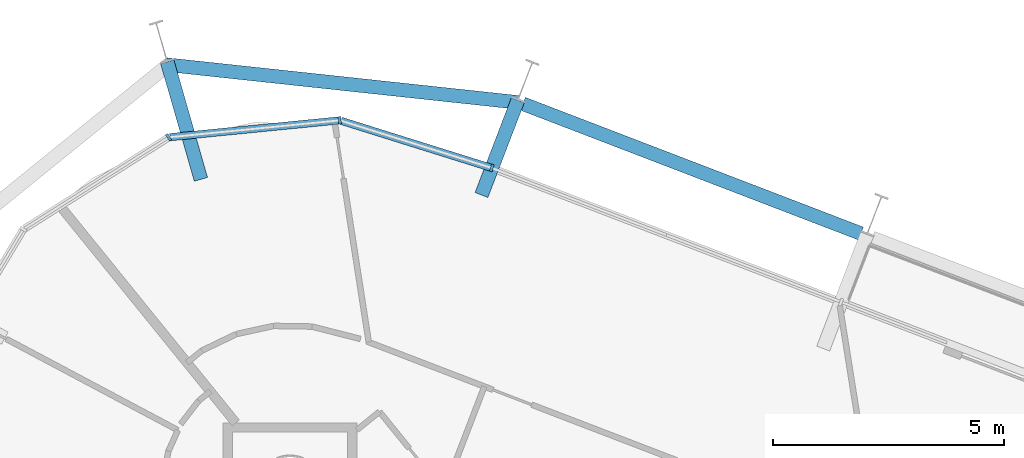
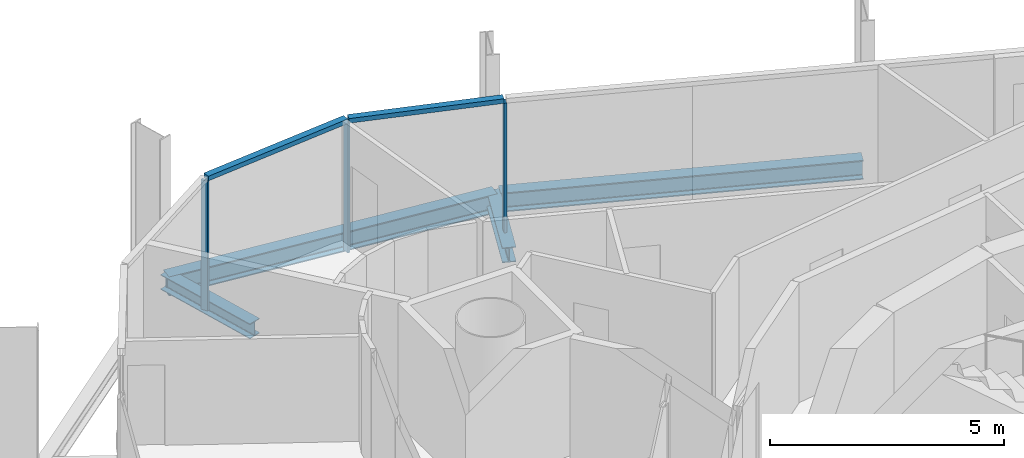
# One storey, part 8 of 17: 5 members, 4 beams, 1 element without a shape of its own.
"""IFC4 building model written with IfcOpenShell, lengths in metres."""

from ifc_helpers import new_model, si_unit, direction, frame, origin, origin_2d, place, context, subcontext, project, spatial, rectangle, i_section, extrude, material, layer, layer_set, material_profile, profile_set, type_object, element, aggregate, save


model = new_model("IFC4")

# Units and contexts
model_context = context("Model", 3, precision=1e-05, world=origin(), true_north=direction((0.0, 1.0)))
body_context = subcontext(model_context, "Body", "Model", "MODEL_VIEW")
ifc_project = project(units=[si_unit("LENGTHUNIT", "METRE"), si_unit("AREAUNIT", "SQUARE_METRE"), si_unit("VOLUMEUNIT", "CUBIC_METRE"), si_unit("PLANEANGLEUNIT", "RADIAN"), si_unit("MASSUNIT", "GRAM", prefix="KILO")], contexts=[model_context])

# Site, building, storey
site_placement = place(None, origin())
site = spatial("IfcSite", under=ifc_project, at=site_placement, CompositionType="ELEMENT")
building_placement = place(site_placement, origin())
building = spatial("IfcBuilding", under=site, at=building_placement, Name="Spindle Arch Residences", CompositionType="ELEMENT")
storey_placement = place(building_placement, frame((0.0, 0.0, 270.39990234375)))
storey = spatial("IfcBuildingStorey", under=building, at=storey_placement, Name="L69", CompositionType="ELEMENT", Elevation=270.39990234375)

# Curtain wall, members
ifc_material_1 = material(Name="Aluminium bronze unitised frame with tinted glass", Category="aluminium")
ifc_layer = layer(ifc_material_1, 0.159912109375)
ifc_layer_set = layer_set([ifc_layer], Name="CW-D corner wall on the fillet arcs")
curtain_wall_type = type_object("IfcCurtainWallType", Name="CW-D corner wall on the fillet arcs", PredefinedType="NOTDEFINED", material=ifc_layer_set)
curtain_wall_placement = place(storey_placement, origin())
curtain_wall = element("IfcCurtainWall", 1, at=curtain_wall_placement, inside=storey, type_object=curtain_wall_type, Name="CW-D L69 run 3", PredefinedType="NOTDEFINED")
ifc_material_2 = material(Name="Aluminium bronze anodised mullion", Category="aluminium")
ifc_material_profile_1 = material_profile(ifc_material_2, rectangle(XDim=0.159912109375, YDim=0.06005859375, at=origin_2d()), Name="MU 60x160")
ifc_profile_set_1 = profile_set([ifc_material_profile_1], Name="Aluminium bronze anodised mullion")
member_type_1 = type_object("IfcMemberType", Name="Bronze mullion 60x160", PredefinedType="MULLION", material=ifc_profile_set_1)
member_1_placement = place(storey_placement, frame((-7.577880859375, 21.73583984375, -0.3798828125), z_axis=(0.0, 0.0, 1.0), x_axis=(-0.298802665594, -0.954314920262, 0.0)))
member_1 = element("IfcMember", 2, at=member_1_placement, type_object=member_type_1, Name="CW-D mullion 00", PredefinedType="MULLION", context=body_context, shape_type="SweptSolid", body=[
    extrude(rectangle(XDim=0.159912109375, YDim=0.06005859375, at=origin_2d()), origin(), (0.0, 0.0, 1.0), 3.3798828125),
])
member_2_placement = place(storey_placement, frame((-10.874755859375, 22.768310546875, -0.3798828125), z_axis=(0.0, 0.0, 1.0), x_axis=(0.098740832762, -0.995113183485, 0.0)))
member_2 = element("IfcMember", 3, at=member_2_placement, type_object=member_type_1, Name="CW-D mullion 01", PredefinedType="MULLION", context=body_context, shape_type="SweptSolid", body=[
    extrude(rectangle(XDim=0.159912109375, YDim=0.06005859375, at=origin_2d()), origin(), (0.0, 0.0, 1.0), 3.3798828125),
])
member_3_placement = place(storey_placement, frame((-14.58349609375, 22.400390625, -0.3798828125), z_axis=(0.0, 0.0, 1.0), x_axis=(0.534844015322, -0.844950814707, 0.0)))
member_3 = element("IfcMember", 4, at=member_3_placement, type_object=member_type_1, Name="CW-D mullion 02", PredefinedType="MULLION", context=body_context, shape_type="SweptSolid", body=[
    extrude(rectangle(XDim=0.159912109375, YDim=0.06005859375, at=origin_2d()), origin(), (0.0, 0.0, 1.0), 3.3798828125),
])
ifc_material_3 = material(Name="Aluminium bronze anodised transom", Category="aluminium")
ifc_material_profile_2 = material_profile(ifc_material_3, rectangle(XDim=0.159912109375, YDim=0.1201171875, at=origin_2d()), Name="TR 120x160")
ifc_profile_set_2 = profile_set([ifc_material_profile_2], Name="Aluminium bronze anodised transom")
member_type_2 = type_object("IfcMemberType", Name="Bronze transom 120x160", PredefinedType="USERDEFINED", material=ifc_profile_set_2)
member_4_placement = place(storey_placement, frame((-7.6064453125, 21.744873046875, 3.06005859375), z_axis=(-0.95431347792, 0.298807272099, 0.0), x_axis=(-0.298807272099, -0.95431347792, 0.0)))
member_4 = element("IfcMember", 5, at=member_4_placement, type_object=member_type_2, Name="CW-D transom 00", ObjectType="TRANSOM", PredefinedType="USERDEFINED", context=body_context, shape_type="SweptSolid", body=[
    extrude(rectangle(XDim=0.159912109375, YDim=0.1201171875, at=origin_2d()), origin(), (0.0, 0.0, 1.0), 3.394775390625),
])
member_5_placement = place(storey_placement, frame((-10.90478515625, 22.765380859375, 3.06005859375), z_axis=(-0.99511271598, -0.098745544182, 0.0), x_axis=(0.098745544182, -0.99511271598, 0.0)))
member_5 = element("IfcMember", 6, at=member_5_placement, type_object=member_type_2, Name="CW-D transom 01", ObjectType="TRANSOM", PredefinedType="USERDEFINED", context=body_context, shape_type="SweptSolid", body=[
    extrude(rectangle(XDim=0.159912109375, YDim=0.1201171875, at=origin_2d()), origin(), (0.0, 0.0, 1.0), 3.66650390625),
])
aggregate(curtain_wall, [member_1, member_4, member_2, member_5, member_3])

# Beams
ifc_material_4 = material(Name="Steel S460ML, intumescent coating R 120", Category="steel")
ifc_material_profile_3 = material_profile(ifc_material_4, i_section(OverallWidth=0.300048828125, OverallDepth=0.5, WebThickness=0.014404296875, FlangeThickness=0.028076171875, FilletRadius=0.027099609375, at=origin_2d()), Name="HEB 500")
ifc_profile_set_3 = profile_set([ifc_material_profile_3], Name="Steel S460ML, intumescent coating R 120")
beam_type_1 = type_object("IfcBeamType", Name="Exoskeleton edge beam HEB 500", PredefinedType="BEAM", material=ifc_profile_set_3)
beam_1_placement = place(storey_placement, frame((0.421875, 20.314697265625, -0.6298828125), z_axis=(-0.933573929793, 0.358384873579, 0.0), x_axis=(-0.358384873579, -0.933573929793, 0.0)))
element("IfcBeam", 7, at=beam_1_placement, inside=storey, type_object=beam_type_1, Name="Exoskeleton edge beam 8", PredefinedType="BEAM", context=body_context, shape_type="SweptSolid", body=[
    extrude(i_section(OverallWidth=0.300048828125, OverallDepth=0.5, WebThickness=0.014404296875, FlangeThickness=0.028076171875, FilletRadius=0.027099609375, at=origin_2d()), origin(), (0.0, 0.0, 1.0), 7.84765625),
])
beam_2_placement = place(storey_placement, frame((-7.004150390625, 23.156005859375, -0.6298828125), z_axis=(-0.994272602523, 0.106873719275, 0.0), x_axis=(-0.106873719275, -0.994272602523, 0.0)))
element("IfcBeam", 8, at=beam_2_placement, inside=storey, type_object=beam_type_1, Name="Exoskeleton edge beam 9", PredefinedType="BEAM", context=body_context, shape_type="SweptSolid", body=[
    extrude(i_section(OverallWidth=0.300048828125, OverallDepth=0.5, WebThickness=0.014404296875, FlangeThickness=0.028076171875, FilletRadius=0.027099609375, at=origin_2d()), origin(), (0.0, 0.0, 1.0), 7.668701171875),
])
ifc_material_5 = material(Name="Steel S460ML, intumescent coating R 120", Category="steel")
ifc_material_profile_4 = material_profile(ifc_material_5, i_section(OverallWidth=0.300048828125, OverallDepth=0.389892578125, WebThickness=0.010986328125, FlangeThickness=0.01904296875, FilletRadius=0.027099609375, at=origin_2d()), Name="HEA 400")
ifc_profile_set_4 = profile_set([ifc_material_profile_4], Name="Steel S460ML, intumescent coating R 120")
beam_type_2 = type_object("IfcBeamType", Name="Floor outrigger HEA 400", PredefinedType="BEAM", material=ifc_profile_set_4)
beam_3_placement = place(storey_placement, frame((-7.01513671875, 23.20166015625, -0.574951171875), z_axis=(-0.358391076308, -0.933571548636, 0.0), x_axis=(0.933571548636, -0.358391076308, 0.0)))
element("IfcBeam", 9, at=beam_3_placement, inside=storey, type_object=beam_type_2, Name="Floor outrigger 9", PredefinedType="BEAM", context=body_context, shape_type="SweptSolid", body=[
    extrude(i_section(OverallWidth=0.300048828125, OverallDepth=0.389892578125, WebThickness=0.010986328125, FlangeThickness=0.01904296875, FilletRadius=0.027099609375, at=origin_2d()), origin(), (0.0, 0.0, 1.0), 2.1982421875),
])
beam_4_placement = place(storey_placement, frame((-14.61328125, 24.03662109375, -0.574951171875), z_axis=(0.275730877709, -0.961234874044, 0.0), x_axis=(0.961234874044, 0.275730877709, 0.0)))
element("IfcBeam", 10, at=beam_4_placement, inside=storey, type_object=beam_type_2, Name="Floor outrigger 10", PredefinedType="BEAM", context=body_context, shape_type="SweptSolid", body=[
    extrude(i_section(OverallWidth=0.300048828125, OverallDepth=0.389892578125, WebThickness=0.010986328125, FlangeThickness=0.01904296875, FilletRadius=0.027099609375, at=origin_2d()), origin(), (0.0, 0.0, 1.0), 2.650146484375),
])

save(model, "model.ifc")
